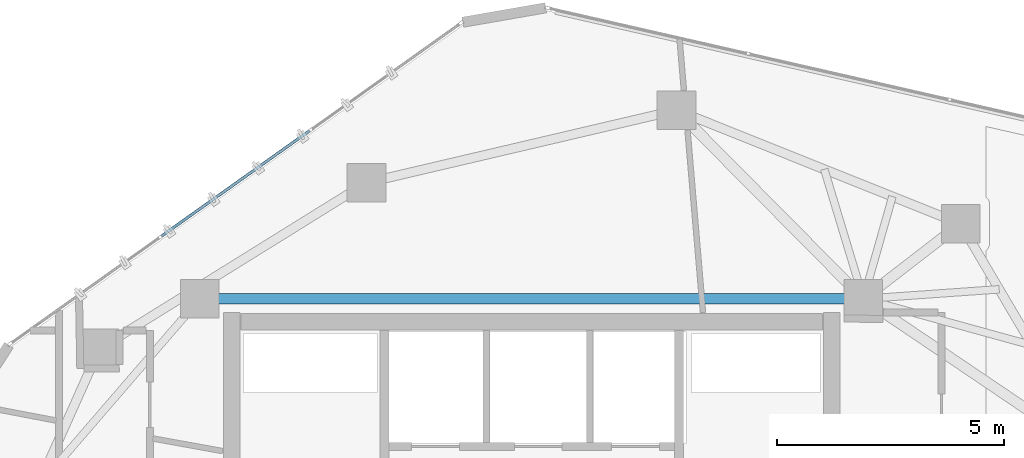
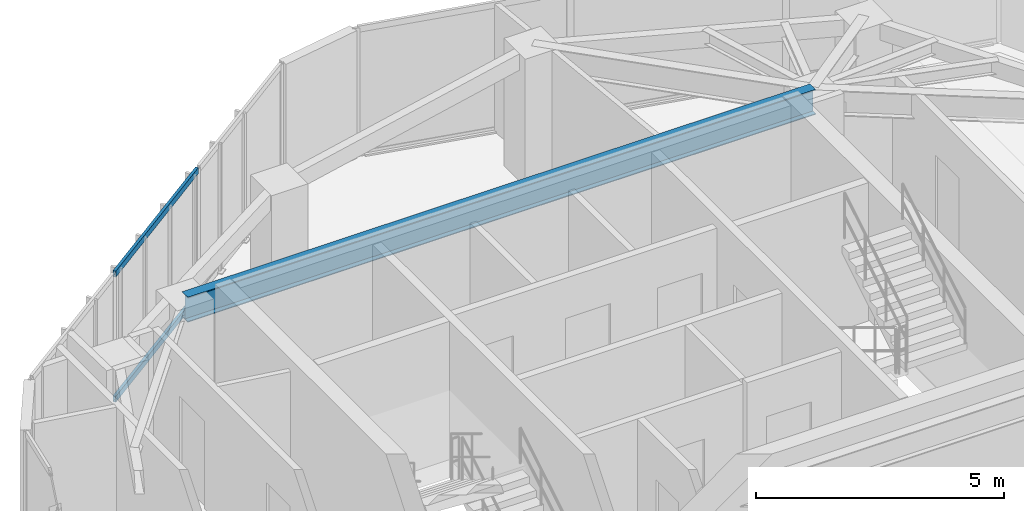
# One storey, part 10 of 19: 2 members, 1 beam, 1 element without a shape of its own.
"""IFC4 building model written with IfcOpenShell, lengths in metres."""

from ifc_helpers import new_model, si_unit, direction, frame, origin, origin_2d, place, context, subcontext, project, spatial, hollow_rectangle, i_section, extrude, source, transform, mapped, material, layer, layer_set, material_profile, profile_set, type_object, type_shapes, element, aggregate, save


model = new_model("IFC4")

# Units and contexts
model_context = context("Model", 3, precision=1e-05, world=origin(), true_north=direction((0.0, 1.0)))
body_context = subcontext(model_context, "Body", "Model", "MODEL_VIEW")
ifc_project = project(units=[si_unit("LENGTHUNIT", "METRE"), si_unit("AREAUNIT", "SQUARE_METRE"), si_unit("VOLUMEUNIT", "CUBIC_METRE"), si_unit("PLANEANGLEUNIT", "RADIAN"), si_unit("MASSUNIT", "GRAM", prefix="KILO")], contexts=[model_context])

# Site, building, storey
site_placement = place(None, origin())
site = spatial("IfcSite", under=ifc_project, at=site_placement, CompositionType="ELEMENT")
building_placement = place(site_placement, origin())
building = spatial("IfcBuilding", under=site, at=building_placement, Name="Talar Marvaseh", CompositionType="ELEMENT")
storey_placement = place(building_placement, frame((0.0, 0.0, 240.800048828125)))
storey = spatial("IfcBuildingStorey", under=building, at=storey_placement, Name="L63", CompositionType="ELEMENT", Elevation=240.800048828125)

# Beam
ifc_material_1 = material(Name="Steel S355", Category="steel")
ifc_material_profile_1 = material_profile(ifc_material_1, i_section(OverallWidth=0.22998046875, OverallDepth=0.616943359375, WebThickness=0.01318359375, FlangeThickness=0.022216796875, at=origin_2d()), Name="W610x140")
ifc_profile_set_1 = profile_set([ifc_material_profile_1], Name="Steel S355")
beam_type = type_object("IfcBeamType", Name="Zone 4 Radial Floor Girder W610x140", PredefinedType="BEAM", material=ifc_profile_set_1)
beam_placement = place(storey_placement, frame((18.699951171875, 36.89990234375, 2.83154296875), z_axis=(1.0, 0.0, 0.0), x_axis=(0.0, 1.0, 0.0)))
element("IfcBeam", 1, at=beam_placement, inside=storey, type_object=beam_type, Name="L63 Zone 4 Radial Floor Girder W610x140", PredefinedType="BEAM", context=body_context, shape_type="SweptSolid", body=[
    extrude(i_section(OverallWidth=0.22998046875, OverallDepth=0.616943359375, WebThickness=0.01318359375, FlangeThickness=0.022216796875, at=origin_2d()), origin(), (0.0, 0.0, 1.0), 14.60009765625),
])

# Curtain wall, members
ifc_material_2 = material(Name="Architectural Aluminium", Category="aluminium")
ifc_layer = layer(ifc_material_2, 0.179931640625)
ifc_layer_set = layer_set([ifc_layer], Name="Architectural Aluminium")
curtain_wall_type = type_object("IfcCurtainWallType", Name="Unitised High-Wind Sky Curtain Wall Z4", PredefinedType="NOTDEFINED", material=ifc_layer_set)
curtain_wall_placement = place(storey_placement, origin())
curtain_wall = element("IfcCurtainWall", 2, at=curtain_wall_placement, inside=storey, type_object=curtain_wall_type, Name="L63 Unitised High-Wind Sky Curtain Wall Z4", PredefinedType="NOTDEFINED")
ifc_material_profile_2 = material_profile(ifc_material_2, hollow_rectangle(XDim=0.06494140625, YDim=0.14990234375, WallThickness=0.00390625, at=origin_2d()), Name="RHS150x65x4")
ifc_profile_set_2 = profile_set([ifc_material_profile_2], Name="Architectural Aluminium")
member_type = type_object("IfcMemberType", Name="Unitised Curtain Wall Slim Transom RHS150x65x4", PredefinedType="USERDEFINED", material=ifc_profile_set_2)
shared_shape = source(origin(), body_context, "Body", "SweptSolid", [
    extrude(hollow_rectangle(XDim=0.06494140625, YDim=0.14990234375, WallThickness=0.00390625, at=origin_2d()), origin(), (0.0, 0.0, 1.0), 4.003662109375),
])
type_shapes(member_type, [shared_shape])
member_1_placement = place(storey_placement, frame((17.85400390625, 38.2783203125, 0.032470703125), z_axis=(0.814758156366, 0.579800954324, 0.0), x_axis=(-0.579800954324, 0.814758156366, 0.0)))
member_1 = element("IfcMember", 3, at=member_1_placement, type_object=member_type, Name="CW-Z4 transom 2.1", ObjectType="TRANSOM", PredefinedType="USERDEFINED", context=body_context, shape_type="MappedRepresentation", body=[
    mapped(shared_shape, transform((0.0, 0.0, 0.0), x_axis=(1.0, 0.0, 0.0), y_axis=(0.0, 1.0, 0.0), z_axis=(0.0, 0.0, 1.0), scale=1.0)),
])
member_2_placement = place(storey_placement, frame((17.85400390625, 38.2783203125, 3.107421875), z_axis=(0.814758156366, 0.579800954324, 0.0), x_axis=(-0.579800954324, 0.814758156366, 0.0)))
member_2 = element("IfcMember", 4, at=member_2_placement, type_object=member_type, Name="CW-Z4 transom 2.2", ObjectType="TRANSOM", PredefinedType="USERDEFINED", context=body_context, shape_type="MappedRepresentation", body=[
    mapped(shared_shape, transform((0.0, 0.0, 0.0), x_axis=(1.0, 0.0, 0.0), y_axis=(0.0, 1.0, 0.0), z_axis=(0.0, 0.0, 1.0), scale=1.0)),
])
aggregate(curtain_wall, [member_1, member_2])

save(model, "model.ifc")
